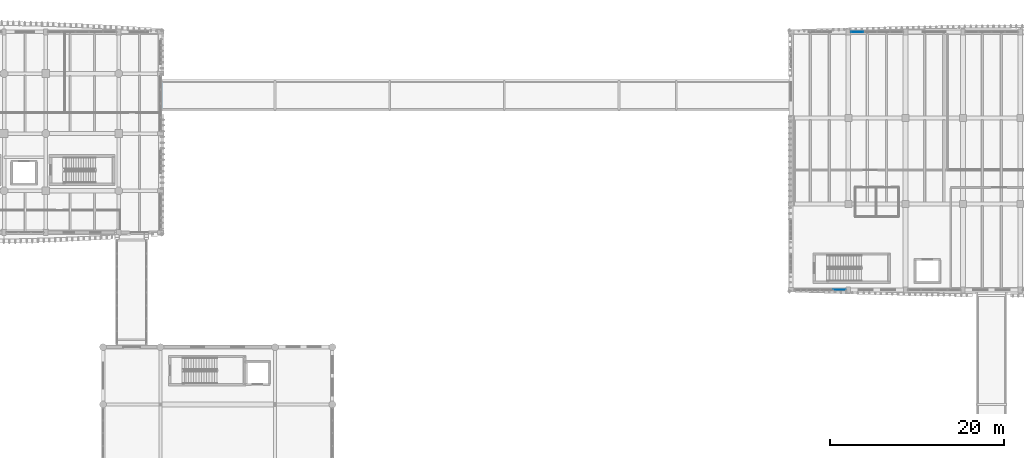
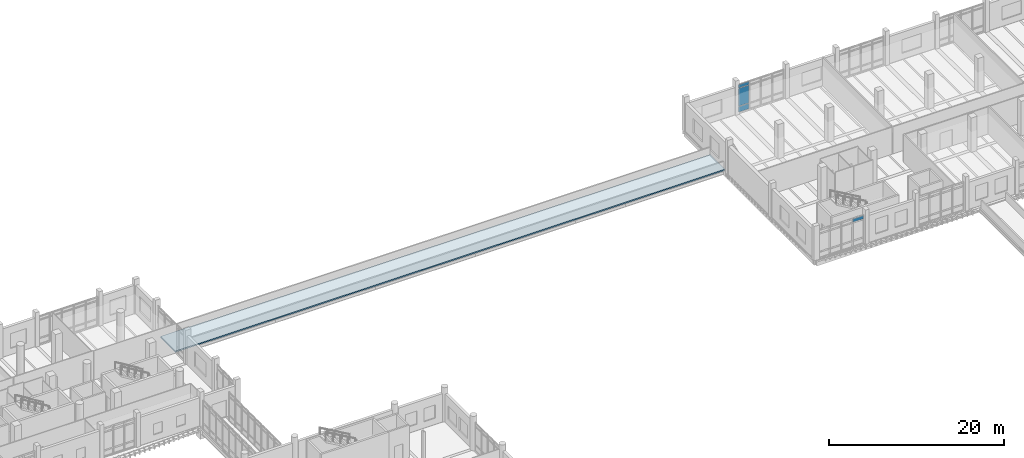
# One storey, part 54 of 101: 4 plates, 1 slab, 2 elements without a shape of their own.
"""IFC4 building model written with IfcOpenShell, lengths in metres."""

from ifc_helpers import new_model, si_unit, direction, frame, origin, origin_2d, place, context, subcontext, project, spatial, polyline, rectangle, outline, extrude, material, layer, layer_set, type_object, element, aggregate, save


model = new_model("IFC4")

# Units and contexts
model_context = context("Model", 3, precision=1e-05, world=origin(), true_north=direction((0.0, 1.0)))
body_context = subcontext(model_context, "Body", "Model", "MODEL_VIEW")
ifc_project = project(units=[si_unit("LENGTHUNIT", "METRE"), si_unit("AREAUNIT", "SQUARE_METRE"), si_unit("VOLUMEUNIT", "CUBIC_METRE"), si_unit("PLANEANGLEUNIT", "RADIAN"), si_unit("MASSUNIT", "GRAM", prefix="KILO")], contexts=[model_context])

# Site, building, storey
site_placement = place(None, origin())
site = spatial("IfcSite", under=ifc_project, at=site_placement, CompositionType="ELEMENT")
building_placement = place(site_placement, origin())
building = spatial("IfcBuilding", under=site, at=building_placement, Name="Dornvale Research Institute", CompositionType="ELEMENT")
storey_placement = place(building_placement, frame((0.0, 0.0, 10.199951171875)))
storey = spatial("IfcBuildingStorey", under=building, at=storey_placement, Name="L02", CompositionType="ELEMENT", Elevation=10.199951171875)

# Curtain wall, plates
ifc_material_1 = material(Name="Low-E Argon Double Insulating Glazing Unit", Category="glass")
curtain_wall_type_1 = type_object("IfcCurtainWallType", Name="UnitisedCurtainWall_V4_6100x3950", PredefinedType="USERDEFINED", material=ifc_material_1)
curtain_wall_1_placement = place(storey_placement, origin())
curtain_wall_1 = element("IfcCurtainWall", 1, at=curtain_wall_1_placement, inside=storey, type_object=curtain_wall_type_1, Name="L02 V4 unitised curtain wall CW-11 #82", ObjectType="UNITISED CURTAIN WALL", PredefinedType="USERDEFINED")
ifc_material_2 = material(Name="Insulated Ceramic-Frit Spandrel Glass Panel", Category="glass")
ifc_layer_1 = layer(ifc_material_2, 0.0419921875)
ifc_layer_set_1 = layer_set([ifc_layer_1], Name="Insulated Ceramic-Frit Spandrel Glass Panel")
plate_type_1 = type_object("IfcPlateType", Name="CurtainPanel_Spandrel_42", PredefinedType="CURTAIN_PANEL", material=ifc_layer_set_1)
plate_1_placement = place(storey_placement, frame((126.4287109375, 122.10009765625, 0.065185546875), z_axis=(0.0, 0.0, 1.0), x_axis=(1.0, 0.0, 0.0)))
plate_1 = element("IfcPlate", 2, at=plate_1_placement, type_object=plate_type_1, Name="CW-11 panel 1.1", PredefinedType="CURTAIN_PANEL", context=body_context, shape_type="SweptSolid", body=[
    extrude(rectangle(XDim=1.427490234375, YDim=0.0419921875, at=origin_2d()), origin(), (0.0, 0.0, 1.0), 0.75244140625),
])
ifc_material_3 = material(Name="Low-E Argon Double Insulating Glazing Unit", Category="glass")
ifc_layer_2 = layer(ifc_material_3, 0.028076171875)
ifc_layer_set_2 = layer_set([ifc_layer_2], Name="Low-E Argon Double Insulating Glazing Unit")
plate_type_2 = type_object("IfcPlateType", Name="CurtainPanel_Vision_28", PredefinedType="CURTAIN_PANEL", material=ifc_layer_set_2)
plate_2_placement = place(storey_placement, frame((126.4287109375, 122.10009765625, 0.88232421875), z_axis=(0.0, 0.0, 1.0), x_axis=(1.0, 0.0, 0.0)))
plate_2 = element("IfcPlate", 3, at=plate_2_placement, type_object=plate_type_2, Name="CW-11 panel 1.2", PredefinedType="CURTAIN_PANEL", context=body_context, shape_type="SweptSolid", body=[
    extrude(rectangle(XDim=1.427490234375, YDim=0.028076171875, at=origin_2d()), origin(), (0.0, 0.0, 1.0), 2.485107421875),
])
plate_3_placement = place(storey_placement, frame((126.4287109375, 122.10009765625, 3.4326171875), z_axis=(0.0, 0.0, 1.0), x_axis=(1.0, 0.0, 0.0)))
plate_3 = element("IfcPlate", 4, at=plate_3_placement, type_object=plate_type_2, Name="CW-11 panel 1.3", PredefinedType="CURTAIN_PANEL", context=body_context, shape_type="SweptSolid", body=[
    extrude(rectangle(XDim=1.427490234375, YDim=0.028076171875, at=origin_2d()), origin(), (0.0, 0.0, 1.0), 0.452392578125),
])
aggregate(curtain_wall_1, [plate_1, plate_2, plate_3])

# Curtain wall, plate
ifc_material_4 = material(Name="Low-E Argon Double Insulating Glazing Unit", Category="glass")
curtain_wall_type_2 = type_object("IfcCurtainWallType", Name="UnitisedCurtainWall_V4_6000x3950", PredefinedType="USERDEFINED", material=ifc_material_4)
curtain_wall_2_placement = place(storey_placement, origin())
curtain_wall_2 = element("IfcCurtainWall", 5, at=curtain_wall_2_placement, inside=storey, type_object=curtain_wall_type_2, Name="L02 V4 unitised curtain wall CW-14 #90", ObjectType="UNITISED CURTAIN WALL", PredefinedType="USERDEFINED")
plate_4_placement = place(storey_placement, frame((124.3837890625, 92.39990234375, 3.4326171875), z_axis=(0.0, 0.0, 1.0), x_axis=(-1.0, 0.0, 0.0)))
plate_4 = element("IfcPlate", 6, at=plate_4_placement, type_object=plate_type_2, Name="CW-14 panel 1.3", PredefinedType="CURTAIN_PANEL", context=body_context, shape_type="SweptSolid", body=[
    extrude(rectangle(XDim=1.402587890625, YDim=0.028076171875, at=origin_2d()), origin(), (0.0, 0.0, 1.0), 0.452392578125),
])
aggregate(curtain_wall_2, [plate_4])

# Slab
ifc_material_5 = material(Name="Concrete f'c 45 MPa (C35/45)", Category="concrete")
ifc_layer_3 = layer(ifc_material_5, 0.179931640625)
ifc_layer_set_3 = layer_set([ifc_layer_3], Name="Concrete f'c 45 MPa (C35/45)")
slab_type = type_object("IfcSlabType", Name="RoofSlab_Bridge_180", PredefinedType="ROOF", material=ifc_layer_set_3)
slab_placement = place(storey_placement, frame((0.0, 0.0, -0.179931640625)))
element("IfcSlab", 7, at=slab_placement, inside=storey, type_object=slab_type, Name="L02 link bridge roof BR-5", PredefinedType="ROOF", context=body_context, shape_type="SweptSolid", body=[
    extrude(outline(polyline([(118.780029296875, 113.10009765625), (46.219970703125, 113.10009765625), (46.219970703125, 116.5), (118.780029296875, 116.5), (118.780029296875, 113.10009765625)])), origin(), (0.0, 0.0, 1.0), 0.179931640625),
])

save(model, "model.ifc")
